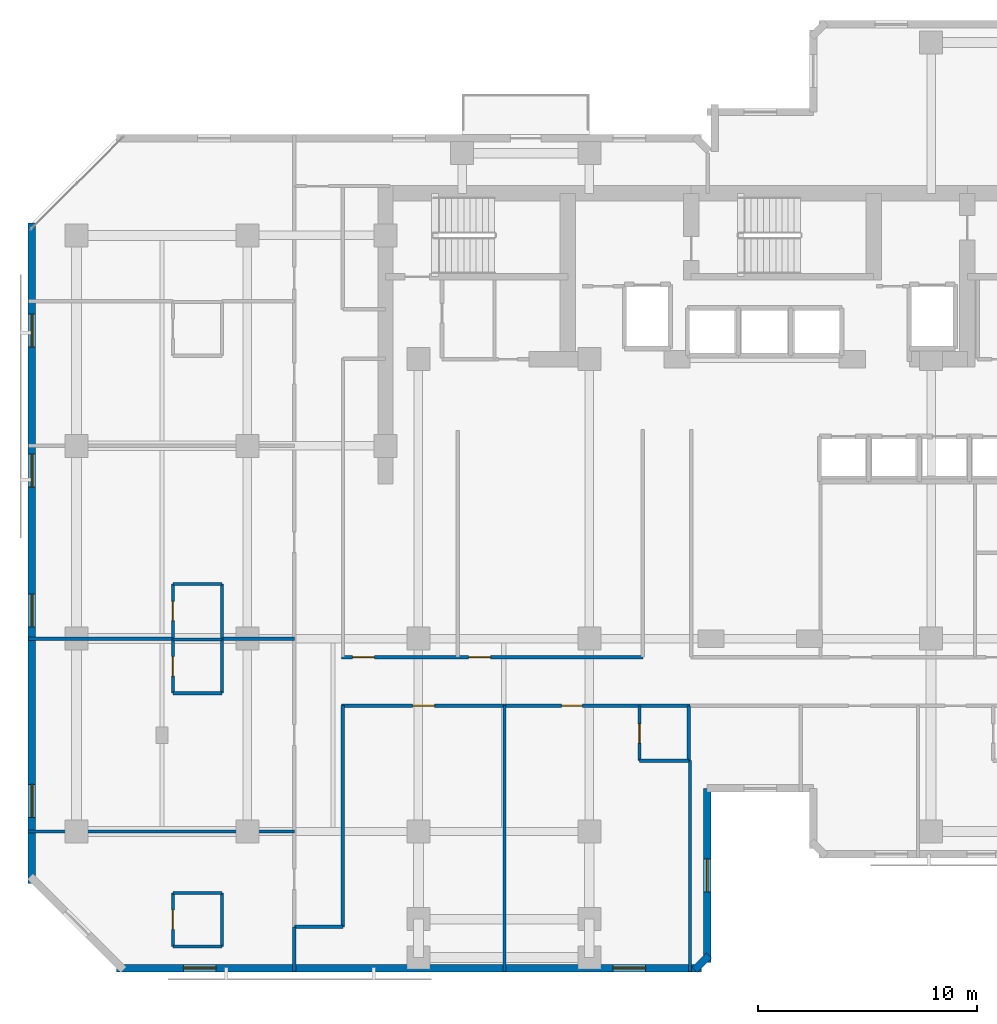
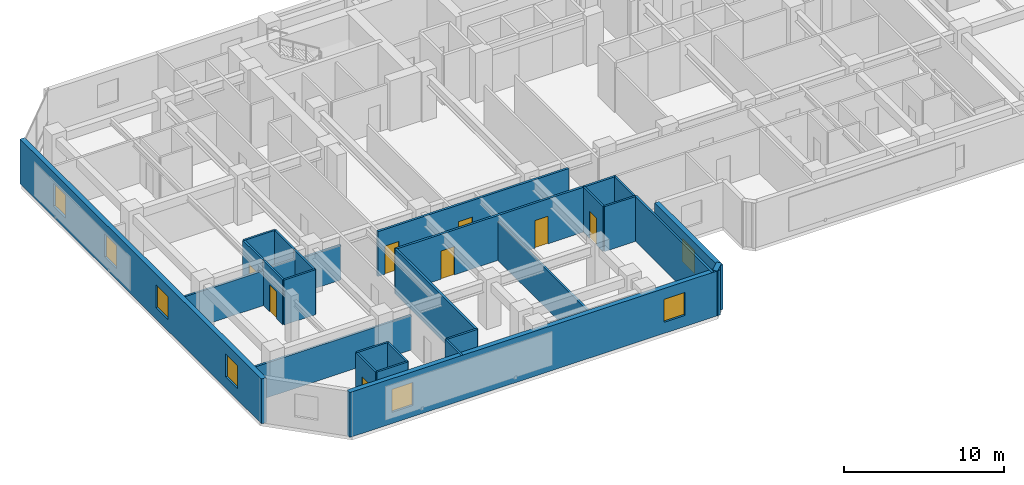
# One storey, part 4 of 11: 28 walls, 8 doors, 7 windows, 15 openings.
"""IFC4 building model written with IfcOpenShell, lengths in metres."""

import ifcopenshell
import ifcopenshell.guid

model = None  # the IFC model being written
_history = None  # IfcOwnerHistory: only IFC2X3 demands one
_inside = {}  # id of a spatial element -> (the spatial element, [elements in it])
_under = {}  # id of a project, library or spatial element -> (it, [spatial elements below it])
_declared = {}  # id of a project -> (the project, [libraries it declares])
_typed = {}  # id of a type object -> (the type object, [elements of that type])
_made_of = {}  # id of a material, layer set ... -> (it, [elements and type objects made of it])


def new_model(schema):
    """Start an empty IFC model of exactly this schema.

    Asked for "IFC4X3", IfcOpenShell would pick the latest addendum, in which some entities
    have other attributes; the version numbers below select the first issue.
    IFC2X3 requires an IfcOwnerHistory on every rooted entity: one is made here for all.
    """
    global model, _history
    if schema == "IFC4X3":
        model = ifcopenshell.file(schema_version=(4, 3, 0, 0))
    else:
        model = ifcopenshell.file(schema=schema)
    _inside.clear()
    _under.clear()
    _declared.clear()
    _typed.clear()
    _made_of.clear()
    _history = None
    if model.schema == "IFC2X3":
        org = make("IfcOrganization", Name="unknown")
        user = make(
            "IfcPersonAndOrganization",
            ThePerson=make("IfcPerson", FamilyName="unknown"),
            TheOrganization=org,
        )
        app = make(
            "IfcApplication",
            ApplicationDeveloper=org,
            Version="unknown",
            ApplicationFullName="unknown",
            ApplicationIdentifier="unknown",
        )
        _history = make(
            "IfcOwnerHistory",
            OwningUser=user,
            OwningApplication=app,
            ChangeAction="ADDED",
            CreationDate=0,
        )
    return model


def make(cls, **values):
    """One entity of the class cls with the attributes given. An attribute that is None is left unset."""
    return model.create_entity(
        cls, **{name: value for name, value in values.items() if value is not None}
    )


def rooted(cls, **values):
    """An entity with a GlobalId (a new one), such as an element, a storey or a relation."""
    return make(cls, GlobalId=ifcopenshell.guid.new(), OwnerHistory=_history, **values)


def si_unit(unit_type, name, prefix=None):
    """IfcSIUnit, for example si_unit("LENGTHUNIT", "METRE", prefix="MILLI")."""
    return make("IfcSIUnit", UnitType=unit_type, Prefix=prefix, Name=name)


def assignment(units):
    """IfcUnitAssignment: the units of a project."""
    return None if units is None else make("IfcUnitAssignment", Units=units)


def point(xyz):
    """IfcCartesianPoint."""
    return None if xyz is None else make("IfcCartesianPoint", Coordinates=xyz)


def direction(xyz):
    """IfcDirection."""
    return None if xyz is None else make("IfcDirection", DirectionRatios=xyz)


def frame(location, z_axis=None, x_axis=None):
    """IfcAxis2Placement3D, a coordinate frame: its origin and axes. An axis left out is left unset."""
    return make(
        "IfcAxis2Placement3D",
        Location=point(location),
        Axis=direction(z_axis),
        RefDirection=direction(x_axis),
    )


def frame_2d(location, x_axis=None):
    """IfcAxis2Placement2D, a coordinate frame in the plane: its origin and x axis."""
    return make(
        "IfcAxis2Placement2D", Location=point(location), RefDirection=direction(x_axis)
    )


def origin():
    """The frame at (0, 0, 0) with its axes left unset."""
    return frame((0.0, 0.0, 0.0))


def place(relative_to, where):
    """IfcLocalPlacement: puts the frame where relative to a parent placement (None: the world)."""
    return make(
        "IfcLocalPlacement", PlacementRelTo=relative_to, RelativePlacement=where
    )


def context(
    kind, dimensions, precision=None, world=None, true_north=None, identifier=None
):
    """IfcGeometricRepresentationContext, for example the 3D "Model" context."""
    return make(
        "IfcGeometricRepresentationContext",
        ContextIdentifier=identifier,
        ContextType=kind,
        CoordinateSpaceDimension=dimensions,
        Precision=precision,
        WorldCoordinateSystem=world,
        TrueNorth=true_north,
    )


def subcontext(parent, identifier, kind, view, scale=None):
    """IfcGeometricRepresentationSubContext, for example "Body" below "Model"."""
    return make(
        "IfcGeometricRepresentationSubContext",
        ContextIdentifier=identifier,
        ContextType=kind,
        ParentContext=parent,
        TargetScale=scale,
        TargetView=view,
    )


def project(units=None, contexts=None):
    """IfcProject with its units and contexts."""
    return rooted(
        "IfcProject",
        Name="project",
        RepresentationContexts=contexts,
        UnitsInContext=assignment(units),
    )


def spatial(cls, under=None, at=None, **own):
    """A site, building, storey or space (cls), placed at a placement, below another one or the project."""
    s = rooted(cls, ObjectPlacement=at, **own)
    if under is not None:
        _under.setdefault(under.id(), (under, []))[1].append(s)
    return s


def profile(cls, at=None, kind="AREA", **sizes):
    """A parametric profile (cls). Its sizes go by their IFC names, for example OverallWidth=200.0."""
    return make(cls, ProfileType=kind, Position=at, **sizes)


def rectangle(**sizes):
    """IfcRectangleProfileDef."""
    return profile("IfcRectangleProfileDef", **sizes)


def extrude(swept, where, along, depth):
    """IfcExtrudedAreaSolid: the profile swept, set in the frame where, extruded along a direction by depth."""
    return make(
        "IfcExtrudedAreaSolid",
        SweptArea=swept,
        Position=where,
        ExtrudedDirection=direction(along),
        Depth=depth,
    )


def shape(context_of_items, identifier, shape_type, items):
    """IfcShapeRepresentation: the items that make up one representation, for example the "Body"."""
    return make(
        "IfcShapeRepresentation",
        ContextOfItems=context_of_items,
        RepresentationIdentifier=identifier,
        RepresentationType=shape_type,
        Items=items,
    )


def material(Name=None, Category=None):
    """IfcMaterial."""
    return make("IfcMaterial", Name=Name, Category=Category)


def layer(
    of_material, thickness, ventilated=None, Name=None, Category=None, Priority=None
):
    """IfcMaterialLayer: one layer of a wall or slab, of a material (None: an air gap)."""
    return make(
        "IfcMaterialLayer",
        Material=of_material,
        LayerThickness=thickness,
        IsVentilated=ventilated,
        Name=Name,
        Category=Category,
        Priority=Priority,
    )


def layer_set(layers, Name=None):
    """IfcMaterialLayerSet."""
    return make("IfcMaterialLayerSet", MaterialLayers=layers, LayerSetName=Name)


def made_of(thing, what):
    """Note that an element or type object is made of a material, layer set ...; save() writes the relation."""
    if what is not None:
        _made_of.setdefault(what.id(), (what, []))[1].append(thing)
    return thing


def type_object(cls, material=None, **own):
    """A type object (cls), such as IfcWallType, which elements share."""
    return made_of(rooted(cls, **own), material)


def element(
    cls,
    number,
    at=None,
    inside=None,
    cuts=None,
    type_object=None,
    material=None,
    context=None,
    identifier="Body",
    shape_type=None,
    held_by="IfcProductDefinitionShape",
    body=None,
    shapes=None,
    **own,
):
    """One element of the class cls, such as IfcWall. Its Tag is "e" and its number.

    at: its placement. inside: the storey or other place that contains it. cuts: it is an
    opening in that element (IfcRelVoidsElement). A single representation is given by context,
    identifier, shape_type and body (its items); several are given by shapes. held_by: the class
    of the entity that holds the representations. save() writes the other relations.
    """
    e = rooted(cls, Tag="e%d" % number, ObjectPlacement=at, **own)
    if body is not None:
        shapes = [shape(context, identifier, shape_type, body)]
    if shapes is not None:
        e.Representation = make(held_by, Representations=shapes)
    if inside is not None:
        _inside.setdefault(inside.id(), (inside, []))[1].append(e)
    if cuts is not None:
        rooted(
            "IfcRelVoidsElement", RelatingBuildingElement=cuts, RelatedOpeningElement=e
        )
    if type_object is not None:
        _typed.setdefault(type_object.id(), (type_object, []))[1].append(e)
    return made_of(e, material)


def fill(opening, filler):
    """IfcRelFillsElement: the door or window that sits in an opening."""
    return rooted(
        "IfcRelFillsElement",
        RelatingOpeningElement=opening,
        RelatedBuildingElement=filler,
    )


def aggregate(whole, parts):
    """IfcRelAggregates: a whole, such as a stair, and the parts it consists of."""
    return rooted("IfcRelAggregates", RelatingObject=whole, RelatedObjects=parts)


def save(model, path):
    """Write the relations noted so far, then the file.

    IfcRelAggregates (storeys below a building ...), IfcRelContainedInSpatialStructure (elements
    in a storey), IfcRelDefinesByType, IfcRelAssociatesMaterial and IfcRelDeclares: one each for
    every whole, place, type object, material and project.
    """
    for whole, parts in _under.values():
        aggregate(whole, parts)
    for where, things in _inside.values():
        rooted(
            "IfcRelContainedInSpatialStructure",
            RelatedElements=things,
            RelatingStructure=where,
        )
    for kind, things in _typed.values():
        rooted("IfcRelDefinesByType", RelatedObjects=things, RelatingType=kind)
    for what, things in _made_of.values():
        rooted("IfcRelAssociatesMaterial", RelatedObjects=things, RelatingMaterial=what)
    for by, libraries in _declared.values():
        rooted("IfcRelDeclares", RelatingContext=by, RelatedDefinitions=libraries)
    model.write(path)


model = new_model("IFC4")

# Units and contexts
model_context = context("Model", 3, precision=1e-05, world=origin(), true_north=direction((0.0, 1.0)))
body_context = subcontext(model_context, "Body", "Model", "MODEL_VIEW")
ifc_project = project(units=[si_unit("LENGTHUNIT", "METRE"), si_unit("AREAUNIT", "SQUARE_METRE"), si_unit("VOLUMEUNIT", "CUBIC_METRE"), si_unit("PLANEANGLEUNIT", "RADIAN"), si_unit("MASSUNIT", "GRAM", prefix="KILO")], contexts=[model_context])

# Site, building, storey
site_placement = place(None, origin())
site = spatial("IfcSite", under=ifc_project, at=site_placement, CompositionType="ELEMENT")
building_placement = place(site_placement, origin())
building = spatial("IfcBuilding", under=site, at=building_placement, Name="Kestravale Grand Hotel", CompositionType="ELEMENT")
storey_placement = place(building_placement, frame((0.0, 0.0, 180.199951171875)))
storey = spatial("IfcBuildingStorey", under=building, at=storey_placement, Name="L45", CompositionType="ELEMENT", Elevation=180.199951171875)

# Wall, openings, windows
ifc_material_1 = material(Name="Precast concrete f'c 45 MPa", Category="concrete")
ifc_layer_1 = layer(ifc_material_1, 0.340087890625)
ifc_layer_set_1 = layer_set([ifc_layer_1], Name="EW-PREC-340")
wall_type_1 = type_object("IfcWallType", Name="EW-PREC-340", PredefinedType="SOLIDWALL", material=ifc_layer_set_1)
wall_1_placement = place(storey_placement, frame((9.6298828125, 4.969970703125, 0.0), z_axis=(0.0, 0.0, 1.0), x_axis=(1.0, 0.0, 0.0)))
wall_1 = element("IfcWall", 1, at=wall_1_placement, inside=storey, type_object=wall_type_1, Name="L45 fluted precast facade wall 1", PredefinedType="SOLIDWALL", context=body_context, shape_type="SweptSolid", body=[
    extrude(rectangle(XDim=26.690185546875, YDim=0.340087890625, at=frame_2d((13.34521484375, 0.0))), origin(), (0.0, 0.0, 1.0), 3.420166015625),
])
opening_1_placement = place(wall_1_placement, frame((3.04833984375, 0.0, 0.85009765625)))
opening_1 = element("IfcOpeningElement", 2, at=opening_1_placement, cuts=wall_1, Name="Opening W-GUEST-1500", PredefinedType="OPENING", context=body_context, shape_type="SweptSolid", body=[
    extrude(rectangle(XDim=1.5, YDim=1.75, at=frame_2d((0.75, 0.875))), frame((0.0, 0.179931640625, 0.0), z_axis=(0.0, -1.0, 0.0), x_axis=(1.0, 0.0, 0.0)), (0.0, 0.0, 1.0), 0.360107421875),
])
opening_2_placement = place(wall_1_placement, frame((22.6416015625, 0.0, 0.85009765625)))
opening_2 = element("IfcOpeningElement", 3, at=opening_2_placement, cuts=wall_1, Name="Opening W-GUEST-1500", PredefinedType="OPENING", context=body_context, shape_type="SweptSolid", body=[
    extrude(rectangle(XDim=1.5, YDim=1.75, at=frame_2d((0.75, 0.875))), frame((0.0, 0.179931640625, 0.0), z_axis=(0.0, -1.0, 0.0), x_axis=(1.0, 0.0, 0.0)), (0.0, 0.0, 1.0), 0.360107421875),
])
ifc_material_2 = material(Name="Insulated low-E double glazing in aluminium frame", Category="aluminium")
window_type = type_object("IfcWindowType", Name="W-GUEST-1500", PartitioningType="SINGLE_PANEL", PredefinedType="WINDOW", material=ifc_material_2)
window_1_placement = place(opening_1_placement, origin())
window_1 = element("IfcWindow", 4, at=window_1_placement, inside=storey, type_object=window_type, Name="L45 exterior window 1.1", OverallHeight=1.75, OverallWidth=1.5, PartitioningType="SINGLE_PANEL", PredefinedType="WINDOW", context=body_context, shape_type="SweptSolid", body=[
    extrude(rectangle(XDim=1.5, YDim=1.75, at=frame_2d((0.75, 0.875))), frame((0.0, 0.030029296875, 0.0), z_axis=(0.0, -1.0, 0.0), x_axis=(1.0, 0.0, 0.0)), (0.0, 0.0, 1.0), 0.06005859375),
])
fill(opening_1, window_1)
window_2_placement = place(opening_2_placement, origin())
window_2 = element("IfcWindow", 5, at=window_2_placement, inside=storey, type_object=window_type, Name="L45 exterior window 1.2", OverallHeight=1.75, OverallWidth=1.5, PartitioningType="SINGLE_PANEL", PredefinedType="WINDOW", context=body_context, shape_type="SweptSolid", body=[
    extrude(rectangle(XDim=1.5, YDim=1.75, at=frame_2d((0.75, 0.875))), frame((0.0, 0.030029296875, 0.0), z_axis=(0.0, -1.0, 0.0), x_axis=(1.0, 0.0, 0.0)), (0.0, 0.0, 1.0), 0.06005859375),
])
fill(opening_2, window_2)

# Wall
wall_2_placement = place(storey_placement, frame((36.00146484375, 4.891845703125, 0.0), z_axis=(0.0, 0.0, 1.0), x_axis=(0.707106781187, 0.707106781187, 0.0)))
element("IfcWall", 6, at=wall_2_placement, inside=storey, type_object=wall_type_1, Name="L45 fluted precast facade wall 2", PredefinedType="SOLIDWALL", context=body_context, shape_type="SweptSolid", body=[
    extrude(rectangle(XDim=0.9287109375, YDim=0.340087890625, at=frame_2d((0.46435546875, 0.0))), origin(), (0.0, 0.0, 1.0), 3.420166015625),
])

# Wall, opening, window
wall_3_placement = place(storey_placement, frame((36.580078125, 5.22998046875, 0.0), z_axis=(0.0, 0.0, 1.0), x_axis=(0.0, 1.0, 0.0)))
wall_3 = element("IfcWall", 7, at=wall_3_placement, inside=storey, type_object=wall_type_1, Name="L45 fluted precast facade wall 3", PredefinedType="SOLIDWALL", context=body_context, shape_type="SweptSolid", body=[
    extrude(rectangle(XDim=7.93994140625, YDim=0.340087890625, at=frame_2d((3.969970703125, 0.0))), origin(), (0.0, 0.0, 1.0), 3.420166015625),
])
opening_3_placement = place(wall_3_placement, frame((3.219970703125, 0.0, 0.85009765625)))
opening_3 = element("IfcOpeningElement", 8, at=opening_3_placement, cuts=wall_3, Name="Opening W-GUEST-1500", PredefinedType="OPENING", context=body_context, shape_type="SweptSolid", body=[
    extrude(rectangle(XDim=1.5, YDim=1.75, at=frame_2d((0.75, 0.875))), frame((0.0, 0.179931640625, 0.0), z_axis=(0.0, -1.0, 0.0), x_axis=(1.0, 0.0, 0.0)), (0.0, 0.0, 1.0), 0.360107421875),
])
window_3_placement = place(opening_3_placement, origin())
window_3 = element("IfcWindow", 9, at=window_3_placement, inside=storey, type_object=window_type, Name="L45 exterior window 3.1", OverallHeight=1.75, OverallWidth=1.5, PartitioningType="SINGLE_PANEL", PredefinedType="WINDOW", context=body_context, shape_type="SweptSolid", body=[
    extrude(rectangle(XDim=1.5, YDim=1.75, at=frame_2d((0.75, 0.875))), frame((0.0, 0.030029296875, 0.0), z_axis=(0.0, -1.0, 0.0), x_axis=(1.0, 0.0, 0.0)), (0.0, 0.0, 1.0), 0.06005859375),
])
fill(opening_3, window_3)

# Wall, openings, windows
wall_4_placement = place(storey_placement, frame((5.77001953125, 38.969970703125, 0.0), z_axis=(0.0, 0.0, 1.0), x_axis=(0.0, -1.0, 0.0)))
wall_4 = element("IfcWall", 10, at=wall_4_placement, inside=storey, type_object=wall_type_1, Name="L45 fluted precast facade wall 19", PredefinedType="SOLIDWALL", context=body_context, shape_type="SweptSolid", body=[
    extrude(rectangle(XDim=30.139892578125, YDim=0.340087890625, at=frame_2d((15.06982421875, 0.0))), origin(), (0.0, 0.0, 1.0), 3.420166015625),
])
opening_4_placement = place(wall_4_placement, frame((4.16748046875, 0.0, 0.85009765625)))
opening_4 = element("IfcOpeningElement", 11, at=opening_4_placement, cuts=wall_4, Name="Opening W-GUEST-1500", PredefinedType="OPENING", context=body_context, shape_type="SweptSolid", body=[
    extrude(rectangle(XDim=1.5, YDim=1.75, at=frame_2d((0.75, 0.875))), frame((0.0, 0.179931640625, 0.0), z_axis=(0.0, -1.0, 0.0), x_axis=(1.0, 0.0, 0.0)), (0.0, 0.0, 1.0), 0.360107421875),
])
opening_5_placement = place(wall_4_placement, frame((10.552490234375, 0.0, 0.85009765625)))
opening_5 = element("IfcOpeningElement", 12, at=opening_5_placement, cuts=wall_4, Name="Opening W-GUEST-1500", PredefinedType="OPENING", context=body_context, shape_type="SweptSolid", body=[
    extrude(rectangle(XDim=1.5, YDim=1.75, at=frame_2d((0.75, 0.875))), frame((0.0, 0.179931640625, 0.0), z_axis=(0.0, -1.0, 0.0), x_axis=(1.0, 0.0, 0.0)), (0.0, 0.0, 1.0), 0.360107421875),
])
opening_6_placement = place(wall_4_placement, frame((16.9375, 0.0, 0.85009765625)))
opening_6 = element("IfcOpeningElement", 13, at=opening_6_placement, cuts=wall_4, Name="Opening W-GUEST-1500", PredefinedType="OPENING", context=body_context, shape_type="SweptSolid", body=[
    extrude(rectangle(XDim=1.5, YDim=1.75, at=frame_2d((0.75, 0.875))), frame((0.0, 0.179931640625, 0.0), z_axis=(0.0, -1.0, 0.0), x_axis=(1.0, 0.0, 0.0)), (0.0, 0.0, 1.0), 0.360107421875),
])
opening_7_placement = place(wall_4_placement, frame((25.62255859375, 0.0, 0.85009765625)))
opening_7 = element("IfcOpeningElement", 14, at=opening_7_placement, cuts=wall_4, Name="Opening W-GUEST-1500", PredefinedType="OPENING", context=body_context, shape_type="SweptSolid", body=[
    extrude(rectangle(XDim=1.5, YDim=1.75, at=frame_2d((0.75, 0.875))), frame((0.0, 0.179931640625, 0.0), z_axis=(0.0, -1.0, 0.0), x_axis=(1.0, 0.0, 0.0)), (0.0, 0.0, 1.0), 0.360107421875),
])
window_4_placement = place(opening_4_placement, origin())
window_4 = element("IfcWindow", 15, at=window_4_placement, inside=storey, type_object=window_type, Name="L45 exterior window 19.1", OverallHeight=1.75, OverallWidth=1.5, PartitioningType="SINGLE_PANEL", PredefinedType="WINDOW", context=body_context, shape_type="SweptSolid", body=[
    extrude(rectangle(XDim=1.5, YDim=1.75, at=frame_2d((0.75, 0.875))), frame((0.0, 0.030029296875, 0.0), z_axis=(0.0, -1.0, 0.0), x_axis=(1.0, 0.0, 0.0)), (0.0, 0.0, 1.0), 0.06005859375),
])
fill(opening_4, window_4)
window_5_placement = place(opening_5_placement, origin())
window_5 = element("IfcWindow", 16, at=window_5_placement, inside=storey, type_object=window_type, Name="L45 exterior window 19.2", OverallHeight=1.75, OverallWidth=1.5, PartitioningType="SINGLE_PANEL", PredefinedType="WINDOW", context=body_context, shape_type="SweptSolid", body=[
    extrude(rectangle(XDim=1.5, YDim=1.75, at=frame_2d((0.75, 0.875))), frame((0.0, 0.030029296875, 0.0), z_axis=(0.0, -1.0, 0.0), x_axis=(1.0, 0.0, 0.0)), (0.0, 0.0, 1.0), 0.06005859375),
])
fill(opening_5, window_5)
window_6_placement = place(opening_6_placement, origin())
window_6 = element("IfcWindow", 17, at=window_6_placement, inside=storey, type_object=window_type, Name="L45 exterior window 19.3", OverallHeight=1.75, OverallWidth=1.5, PartitioningType="SINGLE_PANEL", PredefinedType="WINDOW", context=body_context, shape_type="SweptSolid", body=[
    extrude(rectangle(XDim=1.5, YDim=1.75, at=frame_2d((0.75, 0.875))), frame((0.0, 0.030029296875, 0.0), z_axis=(0.0, -1.0, 0.0), x_axis=(1.0, 0.0, 0.0)), (0.0, 0.0, 1.0), 0.06005859375),
])
fill(opening_6, window_6)
window_7_placement = place(opening_7_placement, origin())
window_7 = element("IfcWindow", 18, at=window_7_placement, inside=storey, type_object=window_type, Name="L45 exterior window 19.4", OverallHeight=1.75, OverallWidth=1.5, PartitioningType="SINGLE_PANEL", PredefinedType="WINDOW", context=body_context, shape_type="SweptSolid", body=[
    extrude(rectangle(XDim=1.5, YDim=1.75, at=frame_2d((0.75, 0.875))), frame((0.0, 0.030029296875, 0.0), z_axis=(0.0, -1.0, 0.0), x_axis=(1.0, 0.0, 0.0)), (0.0, 0.0, 1.0), 0.06005859375),
])
fill(opening_7, window_7)

# Wall, openings, doors
ifc_material_3 = material(Name="Acoustic fire-rated gypsum board partition", Category="other")
ifc_layer_2 = layer(ifc_material_3, 0.159912109375)
ifc_layer_set_2 = layer_set([ifc_layer_2], Name="IW-CORR-160")
wall_type_2 = type_object("IfcWallType", Name="IW-CORR-160", PredefinedType="PARTITIONING", material=ifc_layer_set_2)
wall_5_placement = place(storey_placement, frame((19.89990234375, 19.159912109375, 0.0), z_axis=(0.0, 0.0, 1.0), x_axis=(1.0, 0.0, 0.0)))
wall_5 = element("IfcWall", 19, at=wall_5_placement, inside=storey, type_object=wall_type_2, Name="W-L45-CW-N", PredefinedType="PARTITIONING", context=body_context, shape_type="SweptSolid", body=[
    extrude(rectangle(XDim=13.75, YDim=0.159912109375, at=frame_2d((6.875, 0.0))), origin(), (0.0, 0.0, 1.0), 3.420166015625),
])
opening_8_placement = place(wall_5_placement, frame((0.5, 0.0, 0.0)))
opening_8 = element("IfcOpeningElement", 20, at=opening_8_placement, cuts=wall_5, Name="Opening D-GUEST-1000", PredefinedType="OPENING", context=body_context, shape_type="SweptSolid", body=[
    extrude(rectangle(XDim=1.0, YDim=2.14990234375, at=frame_2d((0.5, 1.074951171875))), frame((0.0, 0.08984375, 0.0), z_axis=(0.0, -1.0, 0.0), x_axis=(1.0, 0.0, 0.0)), (0.0, 0.0, 1.0), 0.179931640625),
])
opening_9_placement = place(wall_5_placement, frame((5.800048828125, 0.0, 0.0)))
opening_9 = element("IfcOpeningElement", 21, at=opening_9_placement, cuts=wall_5, Name="Opening D-GUEST-1000", PredefinedType="OPENING", context=body_context, shape_type="SweptSolid", body=[
    extrude(rectangle(XDim=1.0, YDim=2.14990234375, at=frame_2d((0.5, 1.074951171875))), frame((0.0, 0.08984375, 0.0), z_axis=(0.0, -1.0, 0.0), x_axis=(1.0, 0.0, 0.0)), (0.0, 0.0, 1.0), 0.179931640625),
])
ifc_material_4 = material(Name="Accessible walnut veneer hotel entrance fire door", Category="wood")
door_type_1 = type_object("IfcDoorType", Name="D-GUEST-1000", OperationType="NOTDEFINED", PredefinedType="DOOR", material=ifc_material_4)
door_1_placement = place(opening_8_placement, origin())
door_1 = element("IfcDoor", 22, at=door_1_placement, inside=storey, type_object=door_type_1, Name="D-L45-RECL-W1", OperationType="SINGLE_SWING_LEFT", OverallHeight=2.14990234375, OverallWidth=1.0, PredefinedType="DOOR", context=body_context, shape_type="SweptSolid", body=[
    extrude(rectangle(XDim=1.0, YDim=2.14990234375, at=frame_2d((0.5, 1.074951171875))), frame((0.0, 0.02490234375, 0.0), z_axis=(0.0, -1.0, 0.0), x_axis=(1.0, 0.0, 0.0)), (0.0, 0.0, 1.0), 0.050048828125),
])
fill(opening_8, door_1)
door_2_placement = place(opening_9_placement, origin())
door_2 = element("IfcDoor", 23, at=door_2_placement, inside=storey, type_object=door_type_1, Name="D-L45-RECL-W2", OperationType="SINGLE_SWING_RIGHT", OverallHeight=2.14990234375, OverallWidth=1.0, PredefinedType="DOOR", context=body_context, shape_type="SweptSolid", body=[
    extrude(rectangle(XDim=1.0, YDim=2.14990234375, at=frame_2d((0.5, 1.074951171875))), frame((0.0, 0.02490234375, 0.0), z_axis=(0.0, -1.0, 0.0), x_axis=(1.0, 0.0, 0.0)), (0.0, 0.0, 1.0), 0.050048828125),
])
fill(opening_9, door_2)

wall_6_placement = place(storey_placement, frame((19.89990234375, 16.93994140625, 0.0), z_axis=(0.0, 0.0, 1.0), x_axis=(1.0, 0.0, 0.0)))
wall_6 = element("IfcWall", 24, at=wall_6_placement, inside=storey, type_object=wall_type_2, Name="W-L45-CW-S", PredefinedType="PARTITIONING", context=body_context, shape_type="SweptSolid", body=[
    extrude(rectangle(XDim=15.900146484375, YDim=0.159912109375, at=frame_2d((7.9501953125, 0.0))), origin(), (0.0, 0.0, 1.0), 3.420166015625),
])
opening_10_placement = place(wall_6_placement, frame((3.2451171875, 0.0, 0.0)))
opening_10 = element("IfcOpeningElement", 25, at=opening_10_placement, cuts=wall_6, Name="Opening D-GUEST-1000", PredefinedType="OPENING", context=body_context, shape_type="SweptSolid", body=[
    extrude(rectangle(XDim=1.0, YDim=2.14990234375, at=frame_2d((0.5, 1.074951171875))), frame((0.0, 0.08984375, 0.0), z_axis=(0.0, -1.0, 0.0), x_axis=(1.0, 0.0, 0.0)), (0.0, 0.0, 1.0), 0.179931640625),
])
opening_11_placement = place(wall_6_placement, frame((10.034912109375, 0.0, 0.0)))
opening_11 = element("IfcOpeningElement", 26, at=opening_11_placement, cuts=wall_6, Name="Opening D-GUEST-950", PredefinedType="OPENING", context=body_context, shape_type="SweptSolid", body=[
    extrude(rectangle(XDim=0.949951171875, YDim=2.10009765625, at=frame_2d((0.47509765625, 1.050048828125))), frame((0.0, 0.08984375, 0.0), z_axis=(0.0, -1.0, 0.0), x_axis=(1.0, 0.0, 0.0)), (0.0, 0.0, 1.0), 0.179931640625),
])
door_3_placement = place(opening_10_placement, origin())
door_3 = element("IfcDoor", 27, at=door_3_placement, inside=storey, type_object=door_type_1, Name="D-L45-AMW", OperationType="SINGLE_SWING_LEFT", OverallHeight=2.14990234375, OverallWidth=1.0, PredefinedType="DOOR", context=body_context, shape_type="SweptSolid", body=[
    extrude(rectangle(XDim=1.0, YDim=2.14990234375, at=frame_2d((0.5, 1.074951171875))), frame((0.0, 0.02490234375, 0.0), z_axis=(0.0, -1.0, 0.0), x_axis=(1.0, 0.0, 0.0)), (0.0, 0.0, 1.0), 0.050048828125),
])
fill(opening_10, door_3)
ifc_material_5 = material(Name="Walnut veneer hotel guestroom entrance fire door", Category="wood")
door_type_2 = type_object("IfcDoorType", Name="D-GUEST-950", OperationType="NOTDEFINED", PredefinedType="DOOR", material=ifc_material_5)
door_4_placement = place(opening_11_placement, origin())
door_4 = element("IfcDoor", 28, at=door_4_placement, inside=storey, type_object=door_type_2, Name="D-L45-U01-ENT", OperationType="SINGLE_SWING_LEFT", OverallHeight=2.10009765625, OverallWidth=0.949951171875, PredefinedType="DOOR", context=body_context, shape_type="SweptSolid", body=[
    extrude(rectangle(XDim=0.949951171875, YDim=2.10009765625, at=frame_2d((0.47509765625, 1.050048828125))), frame((0.0, 0.02490234375, 0.0), z_axis=(0.0, -1.0, 0.0), x_axis=(1.0, 0.0, 0.0)), (0.0, 0.0, 1.0), 0.050048828125),
])
fill(opening_11, door_4)

# Wall
wall_7_placement = place(storey_placement, frame((19.9599609375, 6.85009765625, 0.0), z_axis=(0.0, 0.0, 1.0), x_axis=(0.0, 1.0, 0.0)))
element("IfcWall", 29, at=wall_7_placement, inside=storey, type_object=wall_type_2, Name="W-L45-SW-E", PredefinedType="PARTITIONING", context=body_context, shape_type="SweptSolid", body=[
    extrude(rectangle(XDim=10.08984375, YDim=0.159912109375, at=frame_2d((5.044921875, 0.0))), origin(), (0.0, 0.0, 1.0), 3.420166015625),
])

# Wall, opening, door
ifc_material_6 = material(Name="Moisture-resistant tile-backer plumbing chase wall", Category="other")
ifc_layer_3 = layer(ifc_material_6, 0.139892578125)
ifc_layer_set_3 = layer_set([ifc_layer_3], Name="IW-PLB-140")
wall_type_3 = type_object("IfcWallType", Name="IW-PLB-140", PredefinedType="PLUMBINGWALL", material=ifc_layer_set_3)
wall_8_placement = place(storey_placement, frame((33.489990234375, 14.429931640625, 0.0), z_axis=(0.0, 0.0, 1.0), x_axis=(0.0, 1.0, 0.0)))
wall_8 = element("IfcWall", 30, at=wall_8_placement, inside=storey, type_object=wall_type_3, Name="W-L45-U01-BW", PredefinedType="PLUMBINGWALL", context=body_context, shape_type="SweptSolid", body=[
    extrude(rectangle(XDim=2.489990234375, YDim=0.139892578125, at=frame_2d((1.2451171875, 0.0))), origin(), (0.0, 0.0, 1.0), 3.420166015625),
])
opening_12_placement = place(wall_8_placement, frame((0.804931640625, 0.0, 0.0)))
opening_12 = element("IfcOpeningElement", 31, at=opening_12_placement, cuts=wall_8, Name="Opening D-BATH-880", PredefinedType="OPENING", context=body_context, shape_type="SweptSolid", body=[
    extrude(rectangle(XDim=0.8798828125, YDim=2.050048828125, at=frame_2d((0.43994140625, 1.02490234375))), frame((0.0, 0.079833984375, 0.0), z_axis=(0.0, -1.0, 0.0), x_axis=(1.0, 0.0, 0.0)), (0.0, 0.0, 1.0), 0.159912109375),
])
ifc_material_7 = material(Name="Moisture-sealed walnut en-suite bathroom door", Category="wood")
door_type_3 = type_object("IfcDoorType", Name="D-BATH-880", OperationType="NOTDEFINED", PredefinedType="DOOR", material=ifc_material_7)
door_5_placement = place(opening_12_placement, origin())
door_5 = element("IfcDoor", 32, at=door_5_placement, inside=storey, type_object=door_type_3, Name="D-L45-U01-BATH", OperationType="SINGLE_SWING_RIGHT", OverallHeight=2.050048828125, OverallWidth=0.8798828125, PredefinedType="DOOR", context=body_context, shape_type="SweptSolid", body=[
    extrude(rectangle(XDim=0.8798828125, YDim=2.050048828125, at=frame_2d((0.43994140625, 1.02490234375))), frame((0.0, 0.02490234375, 0.0), z_axis=(0.0, -1.0, 0.0), x_axis=(1.0, 0.0, 0.0)), (0.0, 0.0, 1.0), 0.050048828125),
])
fill(opening_12, door_5)

# Walls
wall_9_placement = place(storey_placement, frame((35.739990234375, 14.429931640625, 0.0), z_axis=(0.0, 0.0, 1.0), x_axis=(0.0, 1.0, 0.0)))
element("IfcWall", 33, at=wall_9_placement, inside=storey, type_object=wall_type_3, Name="W-L45-U01-BE", PredefinedType="PLUMBINGWALL", context=body_context, shape_type="SweptSolid", body=[
    extrude(rectangle(XDim=2.489990234375, YDim=0.139892578125, at=frame_2d((1.2451171875, 0.0))), origin(), (0.0, 0.0, 1.0), 3.420166015625),
])
wall_10_placement = place(storey_placement, frame((33.489990234375, 14.429931640625, 0.0), z_axis=(0.0, 0.0, 1.0), x_axis=(1.0, 0.0, 0.0)))
element("IfcWall", 34, at=wall_10_placement, inside=storey, type_object=wall_type_3, Name="W-L45-U01-BS", PredefinedType="PLUMBINGWALL", context=body_context, shape_type="SweptSolid", body=[
    extrude(rectangle(XDim=2.25, YDim=0.139892578125, at=frame_2d((1.125, 0.0))), origin(), (0.0, 0.0, 1.0), 3.420166015625),
])

# Wall, opening, door
wall_11_placement = place(storey_placement, frame((12.199951171875, 5.949951171875, 0.0), z_axis=(0.0, 0.0, 1.0), x_axis=(0.0, 1.0, 0.0)))
wall_11 = element("IfcWall", 35, at=wall_11_placement, inside=storey, type_object=wall_type_3, Name="W-L45-U04-BW", PredefinedType="PLUMBINGWALL", context=body_context, shape_type="SweptSolid", body=[
    extrude(rectangle(XDim=2.449951171875, YDim=0.139892578125, at=frame_2d((1.22509765625, 0.0))), origin(), (0.0, 0.0, 1.0), 3.420166015625),
])
opening_13_placement = place(wall_11_placement, frame((0.784912109375, 0.0, 0.0)))
opening_13 = element("IfcOpeningElement", 36, at=opening_13_placement, cuts=wall_11, Name="Opening D-BATH-880", PredefinedType="OPENING", context=body_context, shape_type="SweptSolid", body=[
    extrude(rectangle(XDim=0.8798828125, YDim=2.050048828125, at=frame_2d((0.43994140625, 1.02490234375))), frame((0.0, 0.079833984375, 0.0), z_axis=(0.0, -1.0, 0.0), x_axis=(1.0, 0.0, 0.0)), (0.0, 0.0, 1.0), 0.159912109375),
])
door_6_placement = place(opening_13_placement, origin())
door_6 = element("IfcDoor", 37, at=door_6_placement, inside=storey, type_object=door_type_3, Name="D-L45-U04-BATH", OperationType="SINGLE_SWING_LEFT", OverallHeight=2.050048828125, OverallWidth=0.8798828125, PredefinedType="DOOR", context=body_context, shape_type="SweptSolid", body=[
    extrude(rectangle(XDim=0.8798828125, YDim=2.050048828125, at=frame_2d((0.43994140625, 1.02490234375))), frame((0.0, 0.02490234375, 0.0), z_axis=(0.0, -1.0, 0.0), x_axis=(1.0, 0.0, 0.0)), (0.0, 0.0, 1.0), 0.050048828125),
])
fill(opening_13, door_6)

# Walls
wall_12_placement = place(storey_placement, frame((14.449951171875, 5.949951171875, 0.0), z_axis=(0.0, 0.0, 1.0), x_axis=(0.0, 1.0, 0.0)))
element("IfcWall", 38, at=wall_12_placement, inside=storey, type_object=wall_type_3, Name="W-L45-U04-BE", PredefinedType="PLUMBINGWALL", context=body_context, shape_type="SweptSolid", body=[
    extrude(rectangle(XDim=2.449951171875, YDim=0.139892578125, at=frame_2d((1.22509765625, 0.0))), origin(), (0.0, 0.0, 1.0), 3.420166015625),
])
for number, where, z_axis, x_axis, name in (
    (39, (12.199951171875, 5.949951171875, 0.0), (0.0, 0.0, 1.0), (1.0, 0.0, 0.0), "W-L45-U04-BS"),
    (40, (12.199951171875, 8.39990234375, 0.0), (0.0, 0.0, 1.0), (1.0, 0.0, 0.0), "W-L45-U04-BN"),
):
    element("IfcWall", number, at=place(storey_placement, frame(where, z_axis=z_axis, x_axis=x_axis)), inside=storey, type_object=wall_type_3, Name=name, PredefinedType="PLUMBINGWALL", context=body_context, shape_type="SweptSolid", body=[
        extrude(rectangle(XDim=2.25, YDim=0.139892578125, at=frame_2d((1.125, 0.0))), origin(), (0.0, 0.0, 1.0), 3.420166015625),
    ])

# Wall, opening, door
wall_13_placement = place(storey_placement, frame((12.199951171875, 17.510009765625, 0.0), z_axis=(0.0, 0.0, 1.0), x_axis=(0.0, 1.0, 0.0)))
wall_13 = element("IfcWall", 41, at=wall_13_placement, inside=storey, type_object=wall_type_3, Name="W-L45-U05-BW", PredefinedType="PLUMBINGWALL", context=body_context, shape_type="SweptSolid", body=[
    extrude(rectangle(XDim=2.449951171875, YDim=0.139892578125, at=frame_2d((1.22509765625, 0.0))), origin(), (0.0, 0.0, 1.0), 3.420166015625),
])
opening_14_placement = place(wall_13_placement, frame((0.784912109375, 0.0, 0.0)))
opening_14 = element("IfcOpeningElement", 42, at=opening_14_placement, cuts=wall_13, Name="Opening D-BATH-880", PredefinedType="OPENING", context=body_context, shape_type="SweptSolid", body=[
    extrude(rectangle(XDim=0.8798828125, YDim=2.050048828125, at=frame_2d((0.43994140625, 1.02490234375))), frame((0.0, 0.079833984375, 0.0), z_axis=(0.0, -1.0, 0.0), x_axis=(1.0, 0.0, 0.0)), (0.0, 0.0, 1.0), 0.159912109375),
])
door_7_placement = place(opening_14_placement, origin())
door_7 = element("IfcDoor", 43, at=door_7_placement, inside=storey, type_object=door_type_3, Name="D-L45-U05-BATH", OperationType="SINGLE_SWING_LEFT", OverallHeight=2.050048828125, OverallWidth=0.8798828125, PredefinedType="DOOR", context=body_context, shape_type="SweptSolid", body=[
    extrude(rectangle(XDim=0.8798828125, YDim=2.050048828125, at=frame_2d((0.43994140625, 1.02490234375))), frame((0.0, 0.02490234375, 0.0), z_axis=(0.0, -1.0, 0.0), x_axis=(1.0, 0.0, 0.0)), (0.0, 0.0, 1.0), 0.050048828125),
])
fill(opening_14, door_7)

# Walls
wall_14_placement = place(storey_placement, frame((14.449951171875, 17.510009765625, 0.0), z_axis=(0.0, 0.0, 1.0), x_axis=(0.0, 1.0, 0.0)))
element("IfcWall", 44, at=wall_14_placement, inside=storey, type_object=wall_type_3, Name="W-L45-U05-BE", PredefinedType="PLUMBINGWALL", context=body_context, shape_type="SweptSolid", body=[
    extrude(rectangle(XDim=2.449951171875, YDim=0.139892578125, at=frame_2d((1.22509765625, 0.0))), origin(), (0.0, 0.0, 1.0), 3.420166015625),
])
wall_15_placement = place(storey_placement, frame((12.199951171875, 17.510009765625, 0.0), z_axis=(0.0, 0.0, 1.0), x_axis=(1.0, 0.0, 0.0)))
element("IfcWall", 45, at=wall_15_placement, inside=storey, type_object=wall_type_3, Name="W-L45-U05-BS", PredefinedType="PLUMBINGWALL", context=body_context, shape_type="SweptSolid", body=[
    extrude(rectangle(XDim=2.25, YDim=0.139892578125, at=frame_2d((1.125, 0.0))), origin(), (0.0, 0.0, 1.0), 3.420166015625),
])
wall_16_placement = place(storey_placement, frame((12.199951171875, 19.9599609375, 0.0), z_axis=(0.0, 0.0, 1.0), x_axis=(1.0, 0.0, 0.0)))
element("IfcWall", 46, at=wall_16_placement, inside=storey, type_object=wall_type_3, Name="W-L45-U05-BN", PredefinedType="PLUMBINGWALL", context=body_context, shape_type="SweptSolid", body=[
    extrude(rectangle(XDim=2.25, YDim=0.139892578125, at=frame_2d((1.125, 0.0))), origin(), (0.0, 0.0, 1.0), 2.77001953125),
])

# Wall, opening, door
wall_17_placement = place(storey_placement, frame((12.199951171875, 20.0400390625, 0.0), z_axis=(0.0, 0.0, 1.0), x_axis=(0.0, 1.0, 0.0)))
wall_17 = element("IfcWall", 47, at=wall_17_placement, inside=storey, type_object=wall_type_3, Name="W-L45-U06-BW", PredefinedType="PLUMBINGWALL", context=body_context, shape_type="SweptSolid", body=[
    extrude(rectangle(XDim=2.449951171875, YDim=0.139892578125, at=frame_2d((1.22509765625, 0.0))), origin(), (0.0, 0.0, 1.0), 3.420166015625),
])
opening_15_placement = place(wall_17_placement, frame((0.784912109375, 0.0, 0.0)))
opening_15 = element("IfcOpeningElement", 48, at=opening_15_placement, cuts=wall_17, Name="Opening D-BATH-880", PredefinedType="OPENING", context=body_context, shape_type="SweptSolid", body=[
    extrude(rectangle(XDim=0.8798828125, YDim=2.050048828125, at=frame_2d((0.43994140625, 1.02490234375))), frame((0.0, 0.079833984375, 0.0), z_axis=(0.0, -1.0, 0.0), x_axis=(1.0, 0.0, 0.0)), (0.0, 0.0, 1.0), 0.159912109375),
])
door_8_placement = place(opening_15_placement, origin())
door_8 = element("IfcDoor", 49, at=door_8_placement, inside=storey, type_object=door_type_3, Name="D-L45-U06-BATH", OperationType="SINGLE_SWING_LEFT", OverallHeight=2.050048828125, OverallWidth=0.8798828125, PredefinedType="DOOR", context=body_context, shape_type="SweptSolid", body=[
    extrude(rectangle(XDim=0.8798828125, YDim=2.050048828125, at=frame_2d((0.43994140625, 1.02490234375))), frame((0.0, 0.02490234375, 0.0), z_axis=(0.0, -1.0, 0.0), x_axis=(1.0, 0.0, 0.0)), (0.0, 0.0, 1.0), 0.050048828125),
])
fill(opening_15, door_8)

# Walls
wall_18_placement = place(storey_placement, frame((14.449951171875, 20.0400390625, 0.0), z_axis=(0.0, 0.0, 1.0), x_axis=(0.0, 1.0, 0.0)))
element("IfcWall", 50, at=wall_18_placement, inside=storey, type_object=wall_type_3, Name="W-L45-U06-BE", PredefinedType="PLUMBINGWALL", context=body_context, shape_type="SweptSolid", body=[
    extrude(rectangle(XDim=2.449951171875, YDim=0.139892578125, at=frame_2d((1.22509765625, 0.0))), origin(), (0.0, 0.0, 1.0), 3.420166015625),
])
wall_19_placement = place(storey_placement, frame((12.199951171875, 22.489990234375, 0.0), z_axis=(0.0, 0.0, 1.0), x_axis=(1.0, 0.0, 0.0)))
element("IfcWall", 51, at=wall_19_placement, inside=storey, type_object=wall_type_3, Name="W-L45-U06-BN", PredefinedType="PLUMBINGWALL", context=body_context, shape_type="SweptSolid", body=[
    extrude(rectangle(XDim=2.25, YDim=0.139892578125, at=frame_2d((1.125, 0.0))), origin(), (0.0, 0.0, 1.0), 3.420166015625),
])
ifc_material_8 = material(Name="Double-stud STC 52 acoustic demising partition", Category="other")
ifc_layer_4 = layer(ifc_material_8, 0.14990234375)
ifc_layer_set_4 = layer_set([ifc_layer_4], Name="IW-UNIT-150")
wall_type_4 = type_object("IfcWallType", Name="IW-UNIT-150", PredefinedType="PARTITIONING", material=ifc_layer_set_4)
wall_20_placement = place(storey_placement, frame((17.739990234375, 6.85009765625, 0.0), z_axis=(0.0, 0.0, 1.0), x_axis=(1.0, 0.0, 0.0)))
element("IfcWall", 52, at=wall_20_placement, inside=storey, type_object=wall_type_4, Name="W-L45-SW-S", PredefinedType="PARTITIONING", context=body_context, shape_type="SweptSolid", body=[
    extrude(rectangle(XDim=2.219970703125, YDim=0.14990234375, at=frame_2d((1.10986328125, 0.0))), origin(), (0.0, 0.0, 1.0), 3.420166015625),
])
wall_21_placement = place(storey_placement, frame((27.330078125, 4.820068359375, 0.0), z_axis=(0.0, 0.0, 1.0), x_axis=(0.0, 1.0, 0.0)))
element("IfcWall", 53, at=wall_21_placement, inside=storey, type_object=wall_type_4, Name="W-L45-WS-1", PredefinedType="PARTITIONING", context=body_context, shape_type="SweptSolid", body=[
    extrude(rectangle(XDim=12.119873046875, YDim=0.14990234375, at=frame_2d((6.06005859375, 0.0))), origin(), (0.0, 0.0, 1.0), 2.963134765625),
])
wall_22_placement = place(storey_placement, frame((35.800048828125, 4.820068359375, 0.0), z_axis=(0.0, 0.0, 1.0), x_axis=(0.0, 1.0, 0.0)))
element("IfcWall", 54, at=wall_22_placement, inside=storey, type_object=wall_type_4, Name="W-L45-MID-S", PredefinedType="PARTITIONING", context=body_context, shape_type="SweptSolid", body=[
    extrude(rectangle(XDim=9.60986328125, YDim=0.14990234375, at=frame_2d((4.804931640625, 0.0))), origin(), (0.0, 0.0, 1.0), 3.420166015625),
])
wall_23_placement = place(storey_placement, frame((17.739990234375, 4.820068359375, 0.0), z_axis=(0.0, 0.0, 1.0), x_axis=(0.0, 1.0, 0.0)))
element("IfcWall", 55, at=wall_23_placement, inside=storey, type_object=wall_type_4, Name="W-L45-SW-EXT", PredefinedType="PARTITIONING", context=body_context, shape_type="SweptSolid", body=[
    extrude(rectangle(XDim=2.030029296875, YDim=0.14990234375, at=frame_2d((1.01513671875, 0.0))), origin(), (0.0, 0.0, 1.0), 3.420166015625),
])
wall_24_placement = place(storey_placement, frame((5.6201171875, 11.199951171875, 0.0), z_axis=(0.0, 0.0, 1.0), x_axis=(1.0, 0.0, 0.0)))
element("IfcWall", 56, at=wall_24_placement, inside=storey, type_object=wall_type_4, Name="W-L45-WW-1", PredefinedType="PARTITIONING", context=body_context, shape_type="SweptSolid", body=[
    extrude(rectangle(XDim=12.119873046875, YDim=0.14990234375, at=frame_2d((6.06005859375, 0.0))), origin(), (0.0, 0.0, 1.0), 2.64794921875),
])
wall_25_placement = place(storey_placement, frame((5.6201171875, 20.0, 0.0), z_axis=(0.0, 0.0, 1.0), x_axis=(1.0, 0.0, 0.0)))
element("IfcWall", 57, at=wall_25_placement, inside=storey, type_object=wall_type_4, Name="W-L45-WW-2", PredefinedType="PARTITIONING", context=body_context, shape_type="SweptSolid", body=[
    extrude(rectangle(XDim=6.579833984375, YDim=0.14990234375, at=frame_2d((3.2900390625, 0.0))), origin(), (0.0, 0.0, 1.0), 2.64794921875),
])
wall_26_placement = place(storey_placement, frame((14.449951171875, 20.0, 0.0), z_axis=(0.0, 0.0, 1.0), x_axis=(1.0, 0.0, 0.0)))
element("IfcWall", 58, at=wall_26_placement, inside=storey, type_object=wall_type_4, Name="W-L45-WW-2", PredefinedType="PARTITIONING", context=body_context, shape_type="SweptSolid", body=[
    extrude(rectangle(XDim=3.2900390625, YDim=0.14990234375, at=frame_2d((1.64501953125, 0.0))), origin(), (0.0, 0.0, 1.0), 2.64794921875),
])

save(model, "model.ifc")
